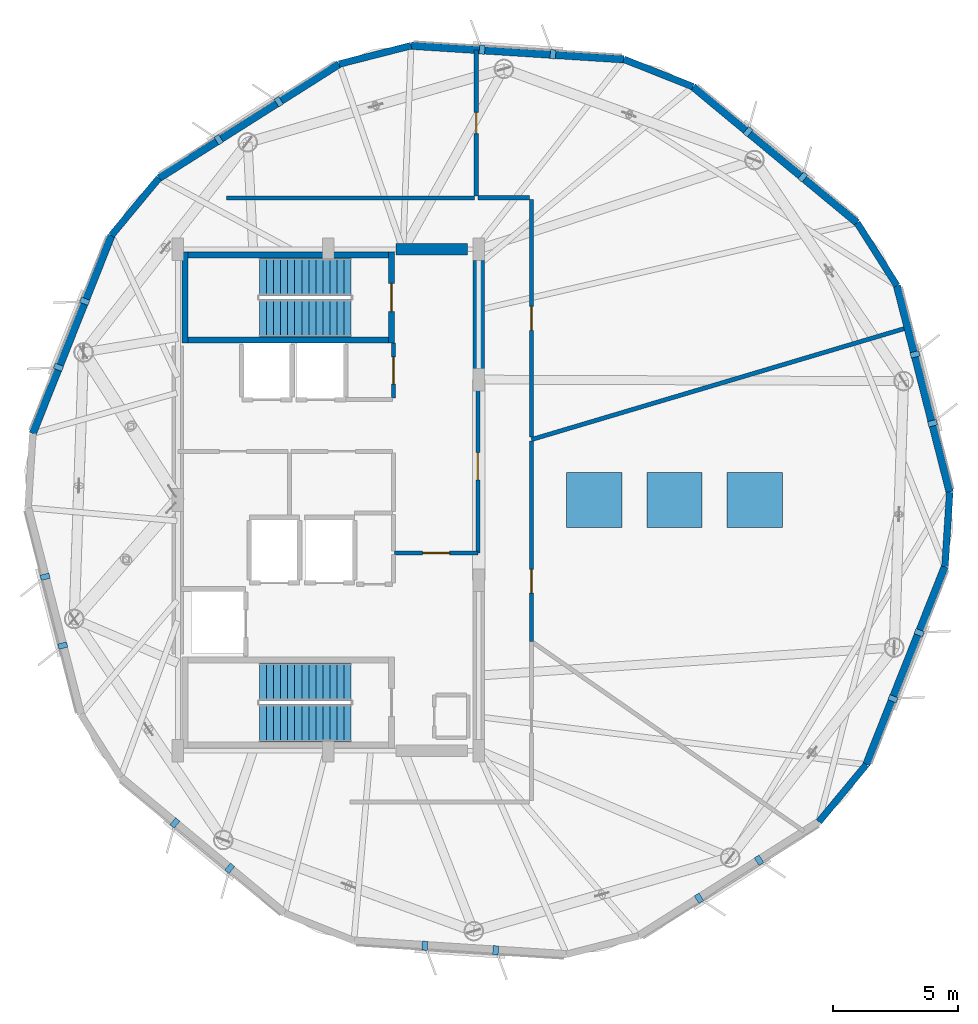
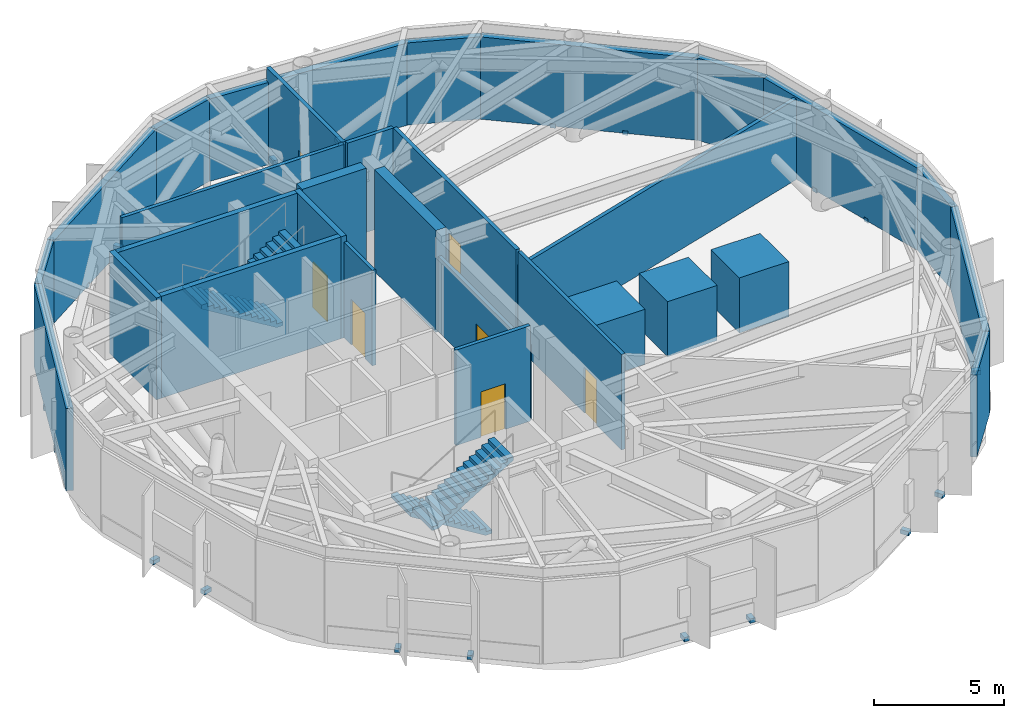
# One storey, part 10 of 14: 27 walls, 23 discrete accessories, 7 doors, 4 stair flights, 7 openings, 2 elements without a shape of their own.
"""IFC4 building model written with IfcOpenShell, lengths in metres."""

from ifc_helpers import new_model, si_unit, direction, frame, frame_2d, origin, origin_2d, place, context, subcontext, project, spatial, polyline, rectangle, outline, extrude, material, layer, layer_set, type_object, element, fill, aggregate, save


model = new_model("IFC4")

# Units and contexts
model_context = context("Model", 3, precision=1e-05, world=origin(), true_north=direction((0.0, 1.0)))
body_context = subcontext(model_context, "Body", "Model", "MODEL_VIEW")
ifc_project = project(units=[si_unit("LENGTHUNIT", "METRE"), si_unit("AREAUNIT", "SQUARE_METRE"), si_unit("VOLUMEUNIT", "CUBIC_METRE"), si_unit("PLANEANGLEUNIT", "RADIAN"), si_unit("MASSUNIT", "GRAM", prefix="KILO")], contexts=[model_context])

# Site, building, storey
site_placement = place(None, origin())
site = spatial("IfcSite", under=ifc_project, at=site_placement, CompositionType="ELEMENT")
building_placement = place(site_placement, origin())
building = spatial("IfcBuilding", under=site, at=building_placement, Name="Soratama Intermodal Tower", CompositionType="ELEMENT")
storey_placement = place(building_placement, frame((0.0, 0.0, 283.75)))
storey = spatial("IfcBuildingStorey", under=building, at=storey_placement, Name="L72", CompositionType="ELEMENT", Elevation=283.75)

# Walls
ifc_material_1 = material(Name="Concrete f'c 42 MPa", Category="concrete")
ifc_layer_1 = layer(ifc_material_1, 0.27001953125)
ifc_layer_set_1 = layer_set([ifc_layer_1], Name="Concrete f'c 42 MPa")
wall_type_1 = type_object("IfcWallType", Name="EW-CRN-270", PredefinedType="SOLIDWALL", material=ifc_layer_set_1)
wall_1_placement = place(storey_placement, frame((41.900146484375, 43.11474609375, 0.0), z_axis=(0.0, 0.0, 1.0), x_axis=(-0.968836239426, -0.247702121861, 0.0)))
element("IfcWall", 1, at=wall_1_placement, inside=storey, type_object=wall_type_1, Name="L72 Corner Closure Wall 01", PredefinedType="SOLIDWALL", context=body_context, shape_type="SweptSolid", body=[
    extrude(rectangle(XDim=2.966796875, YDim=0.27001953125, at=frame_2d((1.4833984375, 0.0))), origin(), (0.0, 0.0, 1.0), 3.87890625),
])
for number, where, z_axis, x_axis, name in (
    (2, (31.844482421875, 37.8330078125, 0.0), (0.0, 0.0, 1.0), (-0.638190744337, -0.769878285083, 0.0), "L72 Corner Closure Wall 02"),
    (3, (58.155517578125, 12.1669921875, 0.0), (0.0, 0.0, 1.0), (0.638190744337, 0.769878285083, 0.0), "L72 Corner Closure Wall 07"),
):
    element("IfcWall", number, at=place(storey_placement, frame(where, z_axis=z_axis, x_axis=x_axis)), inside=storey, type_object=wall_type_1, Name=name, PredefinedType="SOLIDWALL", context=body_context, shape_type="SweptSolid", body=[
        extrude(rectangle(XDim=2.96630859375, YDim=0.27001953125, at=frame_2d((1.483154296875, 0.0))), origin(), (0.0, 0.0, 1.0), 3.87890625),
    ])
for number, where, z_axis, x_axis, name in (
    (4, (63.18603515625, 22.350341796875, 0.0), (0.0, 0.0, 1.0), (0.063864083628, 0.997958605766, 0.0), "L72 Corner Closure Wall 08"),
    (5, (61.270263671875, 33.5458984375, 0.0), (0.0, 0.0, 1.0), (-0.53500509147, 0.844848833876, 0.0), "L72 Corner Closure Wall 09"),
    (6, (53.1396484375, 41.47705078125, 0.0), (0.0, 0.0, 1.0), (-0.929387668471, 0.369105082183, 0.0), "L72 Corner Closure Wall 10"),
):
    element("IfcWall", number, at=place(storey_placement, frame(where, z_axis=z_axis, x_axis=x_axis)), inside=storey, type_object=wall_type_1, Name=name, PredefinedType="SOLIDWALL", context=body_context, shape_type="SweptSolid", body=[
        extrude(rectangle(XDim=2.966552734375, YDim=0.27001953125, at=frame_2d((1.4833984375, 0.0))), origin(), (0.0, 0.0, 1.0), 3.87890625),
    ])
ifc_material_2 = material(Name="Concrete f'c 42 MPa", Category="concrete")
ifc_layer_2 = layer(ifc_material_2, 0.300048828125)
ifc_layer_set_2 = layer_set([ifc_layer_2], Name="Concrete f'c 42 MPa")
wall_type_2 = type_object("IfcWallType", Name="EW-STONE-300", PredefinedType="SOLIDWALL", material=ifc_layer_set_2)
for number, where, z_axis, x_axis, name in (
    (7, (50.382568359375, 42.572021484375, 0.0), (0.0, 0.0, 1.0), (-0.997959397667, 0.06385170795, 0.0), "L72 Plant Wall F01"),
    (8, (39.02587890625, 42.3798828125, 0.0), (0.0, 0.0, 1.0), (-0.844890477206, -0.534939325089, 0.0), "L72 Plant Wall F02"),
):
    element("IfcWall", number, at=place(storey_placement, frame(where, z_axis=z_axis, x_axis=x_axis)), inside=storey, type_object=wall_type_2, Name=name, PredefinedType="SOLIDWALL", context=body_context, shape_type="SweptSolid", body=[
        extrude(rectangle(XDim=8.499755859375, YDim=0.300048828125, at=frame_2d((4.25, 0.0))), origin(), (0.0, 0.0, 1.0), 3.87890625),
    ])
for number, where, z_axis, x_axis, name in (
    (9, (29.951416015625, 35.54931640625, 0.0), (0.0, 0.0, 1.0), (-0.369116501661, -0.92938313316, 0.0), "L72 Plant Wall F03"),
    (10, (60.048583984375, 14.45068359375, 0.0), (0.0, 0.0, 1.0), (0.369116501661, 0.92938313316, 0.0), "L72 Plant Wall F08"),
    (11, (63.37548828125, 25.310791015625, 0.0), (0.0, 0.0, 1.0), (-0.24767525763, 0.968843107401, 0.0), "L72 Plant Wall F09"),
):
    element("IfcWall", number, at=place(storey_placement, frame(where, z_axis=z_axis, x_axis=x_axis)), inside=storey, type_object=wall_type_2, Name=name, PredefinedType="SOLIDWALL", context=body_context, shape_type="SweptSolid", body=[
        extrude(rectangle(XDim=8.5, YDim=0.300048828125, at=frame_2d((4.25, 0.0))), origin(), (0.0, 0.0, 1.0), 3.87890625),
    ])
wall_2_placement = place(storey_placement, frame((59.68310546875, 36.05224609375, 0.0), z_axis=(0.0, 0.0, 1.0), x_axis=(-0.769843323731, 0.638232917443, 0.0)))
element("IfcWall", 12, at=wall_2_placement, inside=storey, type_object=wall_type_2, Name="L72 Plant Wall F10", PredefinedType="SOLIDWALL", context=body_context, shape_type="SweptSolid", body=[
    extrude(rectangle(XDim=8.499755859375, YDim=0.300048828125, at=frame_2d((4.25, 0.0))), origin(), (0.0, 0.0, 1.0), 3.87890625),
])

# Wall, opening, door
ifc_material_3 = material(Name="Fire-rated gypsum stud partition", Category="concrete")
ifc_layer_3 = layer(ifc_material_3, 0.159912109375)
ifc_layer_set_3 = layer_set([ifc_layer_3], Name="Fire-rated gypsum stud partition")
wall_type_3 = type_object("IfcWallType", Name="IW-PART-R160", PredefinedType="PARTITIONING", material=ifc_layer_set_3)
wall_3_placement = place(storey_placement, frame((46.699951171875, 27.35791015625, 0.0), z_axis=(0.0, 0.0, 1.0), x_axis=(0.0, -1.0, 0.0)))
wall_3 = element("IfcWall", 13, at=wall_3_placement, inside=storey, type_object=wall_type_3, Name="L72 Partition W-L72-TP004", PredefinedType="PARTITIONING", context=body_context, shape_type="SweptSolid", body=[
    extrude(rectangle(XDim=7.9990234375, YDim=0.159912109375, at=frame_2d((3.99951171875, 0.0))), origin(), (0.0, 0.0, 1.0), 4.5),
])
opening_1_placement = place(wall_3_placement, frame((5.1240234375, 0.0, 0.0)))
opening_1 = element("IfcOpeningElement", 14, at=opening_1_placement, cuts=wall_3, Name="Opening ID-3", PredefinedType="OPENING", context=body_context, shape_type="SweptSolid", body=[
    extrude(rectangle(XDim=0.949951171875, YDim=2.14990234375, at=frame_2d((0.47509765625, 1.074951171875))), frame((0.0, 0.08984375, 0.0), z_axis=(0.0, -1.0, 0.0), x_axis=(1.0, 0.0, 0.0)), (0.0, 0.0, 1.0), 0.179931640625),
])
ifc_material_4 = material(Name="Solid hardwood acoustic door", Category="wood")
door_type_1 = type_object("IfcDoorType", Name="DR-ROOM-950", OperationType="NOTDEFINED", PredefinedType="DOOR", material=ifc_material_4)
door_1_placement = place(opening_1_placement, origin())
door_1 = element("IfcDoor", 15, at=door_1_placement, inside=storey, type_object=door_type_1, Name="L72 Door D-L72-TP002", OperationType="SINGLE_SWING_LEFT", OverallHeight=2.14990234375, OverallWidth=0.949951171875, PredefinedType="DOOR", context=body_context, shape_type="SweptSolid", body=[
    extrude(rectangle(XDim=0.949951171875, YDim=2.14990234375, at=frame_2d((0.47509765625, 1.074951171875))), frame((0.0, 0.02490234375, 0.0), z_axis=(0.0, -1.0, 0.0), x_axis=(1.0, 0.0, 0.0)), (0.0, 0.0, 1.0), 0.050048828125),
])
fill(opening_1, door_1)

wall_4_placement = place(storey_placement, frame((44.56005859375, 29.800048828125, 0.0), z_axis=(0.0, 0.0, 1.0), x_axis=(0.0, -1.0, 0.0)))
wall_4 = element("IfcWall", 16, at=wall_4_placement, inside=storey, type_object=wall_type_3, Name="L72 Partition W-L72-TP005", PredefinedType="PARTITIONING", context=body_context, shape_type="SweptSolid", body=[
    extrude(rectangle(XDim=6.91015625, YDim=0.159912109375, at=frame_2d((3.455078125, 0.0))), origin(), (0.0, 0.0, 1.0), 3.5400390625),
])
opening_2_placement = place(wall_4_placement, frame((2.9150390625, 0.0, 0.0)))
opening_2 = element("IfcOpeningElement", 17, at=opening_2_placement, cuts=wall_4, Name="Opening ID-1", PredefinedType="OPENING", context=body_context, shape_type="SweptSolid", body=[
    extrude(rectangle(XDim=1.080078125, YDim=2.14990234375, at=frame_2d((0.5400390625, 1.074951171875))), frame((0.0, 0.08984375, 0.0), z_axis=(0.0, -1.0, 0.0), x_axis=(1.0, 0.0, 0.0)), (0.0, 0.0, 1.0), 0.179931640625),
])
ifc_material_5 = material(Name="Solid hardwood acoustic door", Category="wood")
door_type_2 = type_object("IfcDoorType", Name="DR-LOB-FD60", OperationType="NOTDEFINED", PredefinedType="DOOR", material=ifc_material_5)
door_2_placement = place(opening_2_placement, origin())
door_2 = element("IfcDoor", 18, at=door_2_placement, inside=storey, type_object=door_type_2, Name="L72 Door D-L72-TP003", OperationType="SINGLE_SWING_RIGHT", OverallHeight=2.14990234375, OverallWidth=1.080078125, PredefinedType="DOOR", context=body_context, shape_type="SweptSolid", body=[
    extrude(rectangle(XDim=1.080078125, YDim=2.14990234375, at=frame_2d((0.5400390625, 1.074951171875))), frame((0.0, 0.02490234375, 0.0), z_axis=(0.0, -1.0, 0.0), x_axis=(1.0, 0.0, 0.0)), (0.0, 0.0, 1.0), 0.050048828125),
])
fill(opening_2, door_2)

wall_5_placement = place(storey_placement, frame((41.199951171875, 29.070068359375, 0.0), z_axis=(0.0, 0.0, 1.0), x_axis=(0.0, 1.0, 0.0)))
wall_5 = element("IfcWall", 19, at=wall_5_placement, inside=storey, type_object=wall_type_3, Name="L72 Partition W-L72-TP013", PredefinedType="PARTITIONING", context=body_context, shape_type="SweptSolid", body=[
    extrude(rectangle(XDim=2.18994140625, YDim=0.159912109375, at=frame_2d((1.094970703125, 0.0))), origin(), (0.0, 0.0, 1.0), 4.5),
])
opening_3_placement = place(wall_5_placement, frame((0.554931640625, 0.0, 0.0)))
opening_3 = element("IfcOpeningElement", 20, at=opening_3_placement, cuts=wall_5, Name="Opening ID-1", PredefinedType="OPENING", context=body_context, shape_type="SweptSolid", body=[
    extrude(rectangle(XDim=1.080078125, YDim=2.14990234375, at=frame_2d((0.5400390625, 1.074951171875))), frame((0.0, 0.08984375, 0.0), z_axis=(0.0, -1.0, 0.0), x_axis=(1.0, 0.0, 0.0)), (0.0, 0.0, 1.0), 0.179931640625),
])
door_3_placement = place(opening_3_placement, origin())
door_3 = element("IfcDoor", 21, at=door_3_placement, inside=storey, type_object=door_type_2, Name="L72 Door D-L72-TP008", OperationType="SINGLE_SWING_LEFT", OverallHeight=2.14990234375, OverallWidth=1.080078125, PredefinedType="DOOR", context=body_context, shape_type="SweptSolid", body=[
    extrude(rectangle(XDim=1.080078125, YDim=2.14990234375, at=frame_2d((0.5400390625, 1.074951171875))), frame((0.0, 0.02490234375, 0.0), z_axis=(0.0, -1.0, 0.0), x_axis=(1.0, 0.0, 0.0)), (0.0, 0.0, 1.0), 0.050048828125),
])
fill(opening_3, door_3)

# Walls
wall_6_placement = place(storey_placement, frame((34.534912109375, 37.050048828125, 0.0), z_axis=(0.0, 0.0, 1.0), x_axis=(1.0, 0.0, 0.0)))
element("IfcWall", 22, at=wall_6_placement, inside=storey, type_object=wall_type_3, Name="L72 Partition W-L72-TP020", PredefinedType="PARTITIONING", context=body_context, shape_type="SweptSolid", body=[
    extrude(rectangle(XDim=9.89501953125, YDim=0.159912109375, at=frame_2d((4.947509765625, 0.0))), origin(), (0.0, 0.0, 1.0), 4.5),
])
ifc_material_6 = material(Name="Fire-rated gypsum stud partition", Category="concrete")
ifc_layer_4 = layer(ifc_material_6, 0.169921875)
ifc_layer_set_4 = layer_set([ifc_layer_4], Name="Fire-rated gypsum stud partition")
wall_type_4 = type_object("IfcWallType", Name="IW-PART-R170", PredefinedType="PARTITIONING", material=ifc_layer_set_4)
wall_7_placement = place(storey_placement, frame((61.697998046875, 31.8740234375, 0.0), z_axis=(0.0, 0.0, 1.0), x_axis=(-0.95844496891, -0.285277481712, 0.0)))
element("IfcWall", 23, at=wall_7_placement, inside=storey, type_object=wall_type_4, Name="L72 Partition W-L72-TP001", PredefinedType="PARTITIONING", context=body_context, shape_type="SweptSolid", body=[
    extrude(rectangle(XDim=15.648193359375, YDim=0.169921875, at=frame_2d((7.82421875, 0.0))), origin(), (0.0, 0.0, 1.0), 3.794921875),
])

# Wall, opening, door
wall_8_placement = place(storey_placement, frame((46.699951171875, 36.97998046875, 0.0), z_axis=(0.0, 0.0, 1.0), x_axis=(0.0, -1.0, 0.0)))
wall_8 = element("IfcWall", 24, at=wall_8_placement, inside=storey, type_object=wall_type_4, Name="L72 Partition W-L72-TP003", PredefinedType="PARTITIONING", context=body_context, shape_type="SweptSolid", body=[
    extrude(rectangle(XDim=9.47607421875, YDim=0.169921875, at=frame_2d((4.738037109375, 0.0))), origin(), (0.0, 0.0, 1.0), 4.5),
])
opening_4_placement = place(wall_8_placement, frame((4.262939453125, 0.0, 0.0)))
opening_4 = element("IfcOpeningElement", 25, at=opening_4_placement, cuts=wall_8, Name="Opening ID-3", PredefinedType="OPENING", context=body_context, shape_type="SweptSolid", body=[
    extrude(rectangle(XDim=0.949951171875, YDim=2.14990234375, at=frame_2d((0.47509765625, 1.074951171875))), frame((0.0, 0.094970703125, 0.0), z_axis=(0.0, -1.0, 0.0), x_axis=(1.0, 0.0, 0.0)), (0.0, 0.0, 1.0), 0.18994140625),
])
door_4_placement = place(opening_4_placement, origin())
door_4 = element("IfcDoor", 26, at=door_4_placement, inside=storey, type_object=door_type_1, Name="L72 Door D-L72-TP001", OperationType="SINGLE_SWING_RIGHT", OverallHeight=2.14990234375, OverallWidth=0.949951171875, PredefinedType="DOOR", context=body_context, shape_type="SweptSolid", body=[
    extrude(rectangle(XDim=0.949951171875, YDim=2.14990234375, at=frame_2d((0.47509765625, 1.074951171875))), frame((0.0, 0.02490234375, 0.0), z_axis=(0.0, -1.0, 0.0), x_axis=(1.0, 0.0, 0.0)), (0.0, 0.0, 1.0), 0.050048828125),
])
fill(opening_4, door_4)

wall_9_placement = place(storey_placement, frame((44.5, 42.947998046875, 0.0), z_axis=(0.0, 0.0, 1.0), x_axis=(0.0, -1.0, 0.0)))
wall_9 = element("IfcWall", 27, at=wall_9_placement, inside=storey, type_object=wall_type_4, Name="L72 Partition W-L72-TP007", PredefinedType="PARTITIONING", context=body_context, shape_type="SweptSolid", body=[
    extrude(rectangle(XDim=5.827880859375, YDim=0.169921875, at=frame_2d((2.9140625, 0.0))), origin(), (0.0, 0.0, 1.0), 4.5),
])
opening_5_placement = place(wall_9_placement, frame((2.489013671875, 0.0, 0.0)))
opening_5 = element("IfcOpeningElement", 28, at=opening_5_placement, cuts=wall_9, Name="Opening ID-4", PredefinedType="OPENING", context=body_context, shape_type="SweptSolid", body=[
    extrude(rectangle(XDim=0.85009765625, YDim=2.10009765625, at=frame_2d((0.425048828125, 1.050048828125))), frame((0.0, 0.094970703125, 0.0), z_axis=(0.0, -1.0, 0.0), x_axis=(1.0, 0.0, 0.0)), (0.0, 0.0, 1.0), 0.18994140625),
])
ifc_material_7 = material(Name="Solid hardwood acoustic door", Category="wood")
door_type_3 = type_object("IfcDoorType", Name="DR-BATH-850", OperationType="NOTDEFINED", PredefinedType="DOOR", material=ifc_material_7)
door_5_placement = place(opening_5_placement, origin())
door_5 = element("IfcDoor", 29, at=door_5_placement, inside=storey, type_object=door_type_3, Name="L72 Door D-L72-TP010", OperationType="SINGLE_SWING_LEFT", OverallHeight=2.10009765625, OverallWidth=0.85009765625, PredefinedType="DOOR", context=body_context, shape_type="SweptSolid", body=[
    extrude(rectangle(XDim=0.85009765625, YDim=2.10009765625, at=frame_2d((0.425048828125, 1.050048828125))), frame((0.0, 0.02490234375, 0.0), z_axis=(0.0, -1.0, 0.0), x_axis=(1.0, 0.0, 0.0)), (0.0, 0.0, 1.0), 0.050048828125),
])
fill(opening_5, door_5)

wall_10_placement = place(storey_placement, frame((41.239990234375, 22.889892578125, 0.0), z_axis=(0.0, 0.0, 1.0), x_axis=(1.0, 0.0, 0.0)))
wall_10 = element("IfcWall", 30, at=wall_10_placement, inside=storey, type_object=wall_type_4, Name="L72 Partition W-L72-TP010", PredefinedType="PARTITIONING", context=body_context, shape_type="SweptSolid", body=[
    extrude(rectangle(XDim=3.320068359375, YDim=0.169921875, at=frame_2d((1.66015625, 0.0))), origin(), (0.0, 0.0, 1.0), 4.5),
])
opening_6_placement = place(wall_10_placement, frame((1.1201171875, 0.0, 0.0)))
opening_6 = element("IfcOpeningElement", 31, at=opening_6_placement, cuts=wall_10, Name="Opening ID-0", PredefinedType="OPENING", context=body_context, shape_type="SweptSolid", body=[
    extrude(rectangle(XDim=1.080078125, YDim=2.14990234375, at=frame_2d((0.5400390625, 1.074951171875))), frame((0.0, 0.094970703125, 0.0), z_axis=(0.0, -1.0, 0.0), x_axis=(1.0, 0.0, 0.0)), (0.0, 0.0, 1.0), 0.18994140625),
])
ifc_material_8 = material(Name="Solid hardwood acoustic door", Category="wood")
door_type_4 = type_object("IfcDoorType", Name="DR-LOB-FD90", OperationType="NOTDEFINED", PredefinedType="DOOR", material=ifc_material_8)
door_6_placement = place(opening_6_placement, origin())
door_6 = element("IfcDoor", 32, at=door_6_placement, inside=storey, type_object=door_type_4, Name="L72 Door D-L72-TP007", OperationType="SINGLE_SWING_RIGHT", OverallHeight=2.14990234375, OverallWidth=1.080078125, PredefinedType="DOOR", context=body_context, shape_type="SweptSolid", body=[
    extrude(rectangle(XDim=1.080078125, YDim=2.14990234375, at=frame_2d((0.5400390625, 1.074951171875))), frame((0.0, 0.02490234375, 0.0), z_axis=(0.0, -1.0, 0.0), x_axis=(1.0, 0.0, 0.0)), (0.0, 0.0, 1.0), 0.050048828125),
])
fill(opening_6, door_6)

# Walls
wall_11_placement = place(storey_placement, frame((44.570068359375, 37.050048828125, 0.0), z_axis=(0.0, 0.0, 1.0), x_axis=(1.0, 0.0, 0.0)))
element("IfcWall", 33, at=wall_11_placement, inside=storey, type_object=wall_type_4, Name="L72 Partition W-L72-TP014", PredefinedType="PARTITIONING", context=body_context, shape_type="SweptSolid", body=[
    extrude(rectangle(XDim=2.059814453125, YDim=0.169921875, at=frame_2d((1.02978515625, 0.0))), origin(), (0.0, 0.0, 1.0), 4.5),
])
ifc_material_9 = material(Name="Concrete f'c 56 MPa", Category="concrete")
ifc_layer_5 = layer(ifc_material_9, 0.449951171875)
ifc_layer_set_5 = layer_set([ifc_layer_5], Name="Concrete f'c 56 MPa")
wall_type_5 = type_object("IfcWallType", Name="SW-CORE-450", PredefinedType="SHEAR", material=ifc_layer_set_5)
wall_12_placement = place(storey_placement, frame((41.300048828125, 35.0, 0.0), z_axis=(0.0, 0.0, 1.0), x_axis=(1.0, 0.0, 0.0)))
element("IfcWall", 34, at=wall_12_placement, inside=storey, type_object=wall_type_5, Name="L72 Core Shear Wall CW-NE", PredefinedType="SHEAR", context=body_context, shape_type="SweptSolid", body=[
    extrude(rectangle(XDim=2.849853515625, YDim=0.449951171875, at=frame_2d((1.4248046875, 0.0))), origin(), (0.0, 0.0, 1.0), 4.800048828125),
])
wall_13_placement = place(storey_placement, frame((44.60009765625, 29.800048828125, 0.0), z_axis=(0.0, 0.0, 1.0), x_axis=(0.0, 1.0, 0.0)))
element("IfcWall", 35, at=wall_13_placement, inside=storey, type_object=wall_type_5, Name="L72 Core Shear Wall CW-EN", PredefinedType="SHEAR", context=body_context, shape_type="SweptSolid", body=[
    extrude(rectangle(XDim=4.75, YDim=0.449951171875, at=frame_2d((2.375, 0.0))), origin(), (0.0, 0.0, 1.0), 4.800048828125),
])
ifc_material_10 = material(Name="Concrete f'c 56 MPa", Category="concrete")
ifc_layer_6 = layer(ifc_material_10, 0.239990234375)
ifc_layer_set_6 = layer_set([ifc_layer_6], Name="Concrete f'c 56 MPa")
wall_type_6 = type_object("IfcWallType", Name="SW-STAIR-240", PredefinedType="SHEAR", material=ifc_layer_set_6)
wall_14_placement = place(storey_placement, frame((32.8798828125, 31.260009765625, 0.0), z_axis=(0.0, 0.0, 1.0), x_axis=(0.0, 1.0, 0.0)))
element("IfcWall", 36, at=wall_14_placement, inside=storey, type_object=wall_type_6, Name="L72 ST-2 Shaft Shear Wall W", PredefinedType="SHEAR", context=body_context, shape_type="SweptSolid", body=[
    extrude(rectangle(XDim=3.6298828125, YDim=0.239990234375, at=frame_2d((1.81494140625, 0.0))), origin(), (0.0, 0.0, 1.0), 4.800048828125),
])

# Wall, opening, door
wall_15_placement = place(storey_placement, frame((41.1201171875, 31.260009765625, 0.0), z_axis=(0.0, 0.0, 1.0), x_axis=(0.0, 1.0, 0.0)))
wall_15 = element("IfcWall", 37, at=wall_15_placement, inside=storey, type_object=wall_type_6, Name="L72 ST-2 Shaft Shear Wall E", PredefinedType="SHEAR", context=body_context, shape_type="SweptSolid", body=[
    extrude(rectangle(XDim=3.6298828125, YDim=0.239990234375, at=frame_2d((1.81494140625, 0.0))), origin(), (0.0, 0.0, 1.0), 4.800048828125),
])
opening_7_placement = place(wall_15_placement, frame((1.2548828125, 0.0, 0.0)))
opening_7 = element("IfcOpeningElement", 38, at=opening_7_placement, cuts=wall_15, Name="Opening SD-1", PredefinedType="OPENING", context=body_context, shape_type="SweptSolid", body=[
    extrude(rectangle(XDim=1.1201171875, YDim=2.14990234375, at=frame_2d((0.56005859375, 1.074951171875))), frame((0.0, 0.1298828125, 0.0), z_axis=(0.0, -1.0, 0.0), x_axis=(1.0, 0.0, 0.0)), (0.0, 0.0, 1.0), 0.260009765625),
])
ifc_material_11 = material(Name="Steel fire door", Category="steel")
door_type_5 = type_object("IfcDoorType", Name="DR-STAIR-FD90", OperationType="NOTDEFINED", PredefinedType="DOOR", material=ifc_material_11)
door_7_placement = place(opening_7_placement, origin())
door_7 = element("IfcDoor", 39, at=door_7_placement, inside=storey, type_object=door_type_5, Name="L72 ST-2 Exit Stair Door", OperationType="SINGLE_SWING_RIGHT", OverallHeight=2.14990234375, OverallWidth=1.1201171875, PredefinedType="DOOR", context=body_context, shape_type="SweptSolid", body=[
    extrude(rectangle(XDim=1.1201171875, YDim=2.14990234375, at=frame_2d((0.56005859375, 1.074951171875))), frame((0.0, 0.02490234375, 0.0), z_axis=(0.0, -1.0, 0.0), x_axis=(1.0, 0.0, 0.0)), (0.0, 0.0, 1.0), 0.050048828125),
])
fill(opening_7, door_7)

# Walls
for number, where, z_axis, x_axis, name in (
    (40, (33.0, 31.3798828125, 0.0), (0.0, 0.0, 1.0), (1.0, 0.0, 0.0), "L72 ST-2 Shaft Shear Wall S"),
    (41, (33.0, 34.77001953125, 0.0), (0.0, 0.0, 1.0), (1.0, 0.0, 0.0), "L72 ST-2 Shaft Shear Wall N"),
):
    element("IfcWall", number, at=place(storey_placement, frame(where, z_axis=z_axis, x_axis=x_axis)), inside=storey, type_object=wall_type_6, Name=name, PredefinedType="SHEAR", context=body_context, shape_type="SweptSolid", body=[
        extrude(rectangle(XDim=8.0, YDim=0.239990234375, at=frame_2d((4.0, 0.0))), origin(), (0.0, 0.0, 1.0), 4.800048828125),
    ])

# Stair, stair flights
ifc_material_12 = material(Name="Concrete f'c 42 MPa", Category="concrete")
stair_type = type_object("IfcStairType", Name="ST-CORE-DOGLEG", PredefinedType="HALF_TURN_STAIR", material=ifc_material_12)
stair_1_placement = place(storey_placement, origin())
stair_1 = element("IfcStair", 42, at=stair_1_placement, inside=storey, type_object=stair_type, Name="L72 ST-1", PredefinedType="HALF_TURN_STAIR")
ifc_material_13 = material(Name="Precast concrete f'c 40 MPa", Category="concrete")
ifc_layer_7 = layer(ifc_material_13, 0.199951171875)
ifc_layer_set_7 = layer_set([ifc_layer_7], Name="Precast concrete f'c 40 MPa")
stair_flight_type = type_object("IfcStairFlightType", Name="SF-FLIGHT-RC", PredefinedType="STRAIGHT", material=ifc_layer_set_7)
stair_flight_1_placement = place(storey_placement, frame((39.5, 17.75, 0.0), z_axis=(0.0, 0.0, 1.0), x_axis=(-1.0, 0.0, 0.0)))
stair_flight_1 = element("IfcStairFlight", 43, at=stair_flight_1_placement, type_object=stair_flight_type, Name="ST-1 flight 1", NumberOfRisers=14, NumberOfTreads=13, PredefinedType="STRAIGHT", RiserHeight=0.171428571, TreadLength=0.28, context=body_context, shape_type="SweptSolid", body=[
    extrude(outline(polyline([(0.0, 0.0), (0.0, 0.17138671875), (0.280029296875, 0.17138671875), (0.280029296875, 0.3427734375), (0.56005859375, 0.3427734375), (0.56005859375, 0.514404296875), (0.840087890625, 0.514404296875), (0.840087890625, 0.685791015625), (1.1201171875, 0.685791015625), (1.1201171875, 0.857177734375), (1.39990234375, 0.857177734375), (1.39990234375, 1.028564453125), (1.679931640625, 1.028564453125), (1.679931640625, 1.199951171875), (1.9599609375, 1.199951171875), (1.9599609375, 1.371337890625), (2.239990234375, 1.371337890625), (2.239990234375, 1.54296875), (2.52001953125, 1.54296875), (2.52001953125, 1.71435546875), (2.800048828125, 1.71435546875), (2.800048828125, 1.8857421875), (3.080078125, 1.8857421875), (3.080078125, 2.05712890625), (3.360107421875, 2.05712890625), (3.360107421875, 2.228515625), (3.639892578125, 2.228515625), (3.639892578125, 2.39990234375), (3.639892578125, 2.052734375), (0.287109375, 0.0), (0.0, 0.0)])), frame((0.0, 0.75, 0.0), z_axis=(0.0, -1.0, 0.0), x_axis=(1.0, 0.0, 0.0)), (0.0, 0.0, 1.0), 1.5),
])
stair_flight_2_placement = place(storey_placement, frame((35.860107421875, 16.10009765625, 2.39990234375), z_axis=(0.0, 0.0, 1.0), x_axis=(1.0, 0.0, 0.0)))
stair_flight_2 = element("IfcStairFlight", 44, at=stair_flight_2_placement, type_object=stair_flight_type, Name="ST-1 flight 2", NumberOfRisers=14, NumberOfTreads=13, PredefinedType="STRAIGHT", RiserHeight=0.171428571, TreadLength=0.28, context=body_context, shape_type="SweptSolid", body=[
    extrude(outline(polyline([(0.0, 0.0), (0.0, 0.17138671875), (0.280029296875, 0.17138671875), (0.280029296875, 0.3427734375), (0.56005859375, 0.3427734375), (0.56005859375, 0.514404296875), (0.840087890625, 0.514404296875), (0.840087890625, 0.685791015625), (1.1201171875, 0.685791015625), (1.1201171875, 0.857177734375), (1.39990234375, 0.857177734375), (1.39990234375, 1.028564453125), (1.679931640625, 1.028564453125), (1.679931640625, 1.199951171875), (1.9599609375, 1.199951171875), (1.9599609375, 1.371337890625), (2.239990234375, 1.371337890625), (2.239990234375, 1.54296875), (2.52001953125, 1.54296875), (2.52001953125, 1.71435546875), (2.800048828125, 1.71435546875), (2.800048828125, 1.8857421875), (3.080078125, 1.8857421875), (3.080078125, 2.05712890625), (3.360107421875, 2.05712890625), (3.360107421875, 2.228515625), (3.639892578125, 2.228515625), (3.639892578125, 2.39990234375), (3.639892578125, 2.052734375), (0.287109375, 0.0), (0.0, 0.0)])), frame((0.0, 0.75, 0.0), z_axis=(0.0, -1.0, 0.0), x_axis=(1.0, 0.0, 0.0)), (0.0, 0.0, 1.0), 1.5),
])
aggregate(stair_1, [stair_flight_1, stair_flight_2])

stair_2_placement = place(storey_placement, origin())
stair_2 = element("IfcStair", 45, at=stair_2_placement, inside=storey, type_object=stair_type, Name="L72 ST-2", PredefinedType="HALF_TURN_STAIR")
stair_flight_3_placement = place(storey_placement, frame((39.5, 33.89990234375, 0.0), z_axis=(0.0, 0.0, 1.0), x_axis=(-1.0, 0.0, 0.0)))
stair_flight_3 = element("IfcStairFlight", 46, at=stair_flight_3_placement, type_object=stair_flight_type, Name="ST-2 flight 1", NumberOfRisers=14, NumberOfTreads=13, PredefinedType="STRAIGHT", RiserHeight=0.171428571, TreadLength=0.28, context=body_context, shape_type="SweptSolid", body=[
    extrude(outline(polyline([(0.0, 0.0), (0.0, 0.17138671875), (0.280029296875, 0.17138671875), (0.280029296875, 0.3427734375), (0.56005859375, 0.3427734375), (0.56005859375, 0.514404296875), (0.840087890625, 0.514404296875), (0.840087890625, 0.685791015625), (1.1201171875, 0.685791015625), (1.1201171875, 0.857177734375), (1.39990234375, 0.857177734375), (1.39990234375, 1.028564453125), (1.679931640625, 1.028564453125), (1.679931640625, 1.199951171875), (1.9599609375, 1.199951171875), (1.9599609375, 1.371337890625), (2.239990234375, 1.371337890625), (2.239990234375, 1.54296875), (2.52001953125, 1.54296875), (2.52001953125, 1.71435546875), (2.800048828125, 1.71435546875), (2.800048828125, 1.8857421875), (3.080078125, 1.8857421875), (3.080078125, 2.05712890625), (3.360107421875, 2.05712890625), (3.360107421875, 2.228515625), (3.639892578125, 2.228515625), (3.639892578125, 2.39990234375), (3.639892578125, 2.052734375), (0.287109375, 0.0), (0.0, 0.0)])), frame((0.0, 0.75, 0.0), z_axis=(0.0, -1.0, 0.0), x_axis=(1.0, 0.0, 0.0)), (0.0, 0.0, 1.0), 1.5),
])
stair_flight_4_placement = place(storey_placement, frame((35.860107421875, 32.25, 2.39990234375), z_axis=(0.0, 0.0, 1.0), x_axis=(1.0, 0.0, 0.0)))
stair_flight_4 = element("IfcStairFlight", 47, at=stair_flight_4_placement, type_object=stair_flight_type, Name="ST-2 flight 2", NumberOfRisers=14, NumberOfTreads=13, PredefinedType="STRAIGHT", RiserHeight=0.171428571, TreadLength=0.28, context=body_context, shape_type="SweptSolid", body=[
    extrude(outline(polyline([(0.0, 0.0), (0.0, 0.17138671875), (0.280029296875, 0.17138671875), (0.280029296875, 0.3427734375), (0.56005859375, 0.3427734375), (0.56005859375, 0.514404296875), (0.840087890625, 0.514404296875), (0.840087890625, 0.685791015625), (1.1201171875, 0.685791015625), (1.1201171875, 0.857177734375), (1.39990234375, 0.857177734375), (1.39990234375, 1.028564453125), (1.679931640625, 1.028564453125), (1.679931640625, 1.199951171875), (1.9599609375, 1.199951171875), (1.9599609375, 1.371337890625), (2.239990234375, 1.371337890625), (2.239990234375, 1.54296875), (2.52001953125, 1.54296875), (2.52001953125, 1.71435546875), (2.800048828125, 1.71435546875), (2.800048828125, 1.8857421875), (3.080078125, 1.8857421875), (3.080078125, 2.05712890625), (3.360107421875, 2.05712890625), (3.360107421875, 2.228515625), (3.639892578125, 2.228515625), (3.639892578125, 2.39990234375), (3.639892578125, 2.052734375), (0.287109375, 0.0), (0.0, 0.0)])), frame((0.0, 0.75, 0.0), z_axis=(0.0, -1.0, 0.0), x_axis=(1.0, 0.0, 0.0)), (0.0, 0.0, 1.0), 1.5),
])
aggregate(stair_2, [stair_flight_3, stair_flight_4])

# Discrete accessories
ifc_material_14 = material(Name="Structural steel ASTM A992 Grade 50", Category="steel")
discrete_accessory_type_1 = type_object("IfcDiscreteAccessoryType", Name="AC-FIN-BRACKET", PredefinedType="BRACKET", material=ifc_material_14)
for number, where, z_axis, x_axis, name in (
    (48, (47.556396484375, 42.77294921875, -0.080078125), (0.0, 0.0, 1.0), (0.063835616056, 0.997960427133, 0.0), "L72 Fin Bracket F01-1"),
    (49, (44.72900390625, 42.953857421875, -0.080078125), (0.0, 0.0, 1.0), (0.063835616056, 0.997960427133, 0.0), "L72 Fin Bracket F01-2"),
    (50, (36.62158203125, 40.881103515625, -0.080078125), (0.0, 0.0, 1.0), (-0.534942323205, 0.844888578952, 0.0), "L72 Fin Bracket F02-1"),
    (51, (34.227783203125, 39.365478515625, -0.080078125), (0.0, 0.0, 1.0), (-0.534942323205, 0.844888578952, 0.0), "L72 Fin Bracket F02-2"),
    (52, (28.886962890625, 32.92333984375, -0.080078125), (0.0, 0.0, 1.0), (-0.929390477022, 0.369098010319, 0.0), "L72 Fin Bracket F03-1"),
    (53, (27.84130859375, 30.290283203125, -0.080078125), (0.0, 0.0, 1.0), (-0.929390477022, 0.369098010319, 0.0), "L72 Fin Bracket F03-2"),
    (54, (27.306884765625, 21.939208984375, -0.080078125), (0.0, 0.0, 1.0), (-0.968843057437, -0.247675453076, 0.0), "L72 Fin Bracket F04-1"),
    (55, (28.0087890625, 19.194091796875, -0.080078125), (0.0, 0.0, 1.0), (-0.968843057437, -0.247675453076, 0.0), "L72 Fin Bracket F04-2"),
    (56, (32.485107421875, 12.1240234375, -0.080078125), (0.0, 0.0, 1.0), (-0.638230519675, -0.769845311576, 0.0), "L72 Fin Bracket F05-1"),
    (57, (34.66650390625, 10.31591796875, -0.080078125), (0.0, 0.0, 1.0), (-0.638230519675, -0.769845311576, 0.0), "L72 Fin Bracket F05-2"),
    (58, (42.443603515625, 7.22705078125, -0.080078125), (0.0, 0.0, 1.0), (-0.063835616056, -0.997960427133, 0.0), "L72 Fin Bracket F06-1"),
    (59, (45.27099609375, 7.046142578125, -0.080078125), (0.0, 0.0, 1.0), (-0.063835616056, -0.997960427133, 0.0), "L72 Fin Bracket F06-2"),
    (60, (53.37841796875, 9.118896484375, -0.080078125), (0.0, 0.0, 1.0), (0.534942323205, -0.844888578952, 0.0), "L72 Fin Bracket F07-1"),
    (61, (55.772216796875, 10.634521484375, -0.080078125), (0.0, 0.0, 1.0), (0.534942323205, -0.844888578952, 0.0), "L72 Fin Bracket F07-2"),
    (62, (61.113037109375, 17.07666015625, -0.080078125), (0.0, 0.0, 1.0), (0.929390477022, -0.369098010319, 0.0), "L72 Fin Bracket F08-1"),
    (63, (62.15869140625, 19.709716796875, -0.080078125), (0.0, 0.0, 1.0), (0.929390477022, -0.369098010319, 0.0), "L72 Fin Bracket F08-2"),
    (64, (62.693115234375, 28.060791015625, -0.080078125), (0.0, 0.0, 1.0), (0.968843057437, 0.247675453076, 0.0), "L72 Fin Bracket F09-1"),
    (65, (61.9912109375, 30.805908203125, -0.080078125), (0.0, 0.0, 1.0), (0.968843057437, 0.247675453076, 0.0), "L72 Fin Bracket F09-2"),
    (66, (57.514892578125, 37.8759765625, -0.080078125), (0.0, 0.0, 1.0), (0.638230519675, 0.769845311576, 0.0), "L72 Fin Bracket F10-1"),
    (67, (55.33349609375, 39.68408203125, -0.080078125), (0.0, 0.0, 1.0), (0.638230519675, 0.769845311576, 0.0), "L72 Fin Bracket F10-2"),
):
    element("IfcDiscreteAccessory", number, at=place(storey_placement, frame(where, z_axis=z_axis, x_axis=x_axis)), inside=storey, type_object=discrete_accessory_type_1, Name=name, PredefinedType="BRACKET", context=body_context, shape_type="SweptSolid", body=[
        extrude(rectangle(XDim=0.360107421875, YDim=0.219970703125, at=origin_2d()), origin(), (0.0, 0.0, 1.0), 0.199951171875),
    ])
ifc_material_15 = material(Name="Structural steel ASTM A500 Grade C", Category="steel")
discrete_accessory_type_2 = type_object("IfcDiscreteAccessoryType", Name="AC-WIND-TURB", PredefinedType="USERDEFINED", material=ifc_material_15)
for number, where, z_axis, x_axis, name in (
    (68, (49.199951171875, 25.0, 0.0), (0.0, 0.0, 1.0), (1.0, 0.0, 0.0), "L72 Wind Turbine Unit 1"),
    (69, (52.39990234375, 25.0, 0.0), (0.0, 0.0, 1.0), (1.0, 0.0, 0.0), "L72 Wind Turbine Unit 2"),
    (70, (55.60009765625, 25.0, 0.0), (0.0, 0.0, 1.0), (1.0, 0.0, 0.0), "L72 Wind Turbine Unit 3"),
):
    element("IfcDiscreteAccessory", number, at=place(storey_placement, frame(where, z_axis=z_axis, x_axis=x_axis)), inside=storey, type_object=discrete_accessory_type_2, Name=name, ObjectType="WIND TURBINE", PredefinedType="USERDEFINED", context=body_context, shape_type="SweptSolid", body=[
        extrude(rectangle(XDim=2.199951171875, YDim=2.199951171875, at=origin_2d()), origin(), (0.0, 0.0, 1.0), 2.60009765625),
    ])

save(model, "model.ifc")
